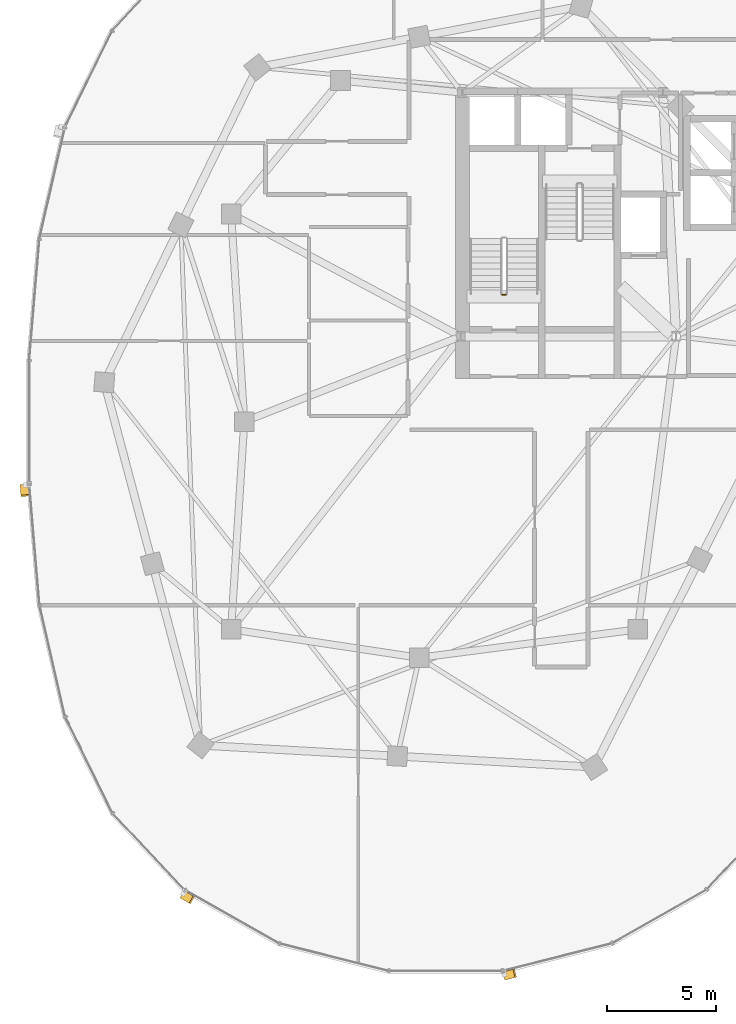
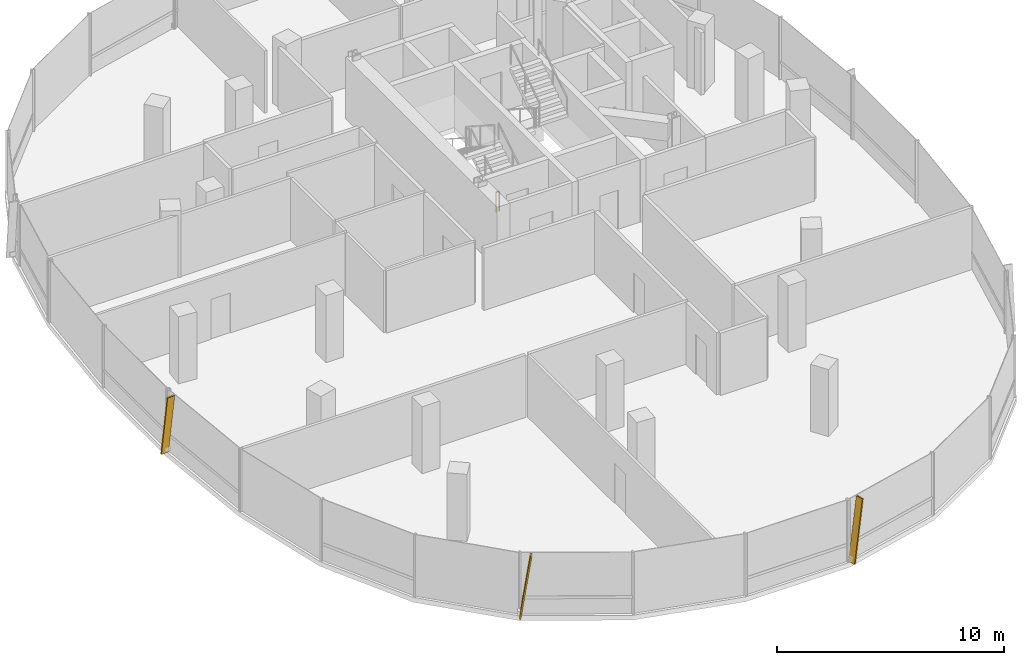
# One storey, part 21 of 25: 3 shading devices, 1 railing.
"""IFC4 building model written with IfcOpenShell, lengths in metres."""

from ifc_helpers import new_model, si_unit, direction, frame, origin, origin_2d, place, context, subcontext, project, spatial, rectangle, extrude, material, material_profile, profile_set, type_object, element, save


model = new_model("IFC4")

# Units and contexts
model_context = context("Model", 3, precision=1e-05, world=origin(), true_north=direction((0.0, 1.0)))
body_context = subcontext(model_context, "Body", "Model", "MODEL_VIEW")
ifc_project = project(units=[si_unit("LENGTHUNIT", "METRE"), si_unit("AREAUNIT", "SQUARE_METRE"), si_unit("VOLUMEUNIT", "CUBIC_METRE"), si_unit("PLANEANGLEUNIT", "RADIAN"), si_unit("MASSUNIT", "GRAM", prefix="KILO"), si_unit("THERMODYNAMICTEMPERATUREUNIT", "KELVIN"), si_unit("POWERUNIT", "WATT")], contexts=[model_context])

# Site, building, storey
site_placement = place(None, origin())
site = spatial("IfcSite", under=ifc_project, at=site_placement, CompositionType="ELEMENT")
building_placement = place(site_placement, origin())
building = spatial("IfcBuilding", under=site, at=building_placement, Name="Cundina Bronze Exchange", CompositionType="ELEMENT")
storey_placement = place(building_placement, frame((0.0, 0.0, 206.199951171875)))
storey = spatial("IfcBuildingStorey", under=building, at=storey_placement, Name="L54", CompositionType="ELEMENT", Elevation=206.199951171875)

# Railing
ifc_material_1 = material(Name="Steel ASTM A36 Painted", Category="steel")
railing_type = type_object("IfcRailingType", Name="RLG-STG-1100", PredefinedType="GUARDRAIL", material=ifc_material_1)
railing_placement = place(storey_placement, frame((-29.239990234375, 5.800048828125, 0.0)))
element("IfcRailing", 1, at=railing_placement, inside=storey, type_object=railing_type, Name="L54 ST-W1 stair guard 4", PredefinedType="GUARDRAIL", context=body_context, shape_type="SweptSolid", body=[
    extrude(rectangle(XDim=0.048095703125, YDim=0.048095703125, at=origin_2d()), frame((0.0, 0.0, 1.076171875), z_axis=(-1.0, 0.0, 0.0), x_axis=(0.0, -1.0, 0.0)), (0.0, 0.0, 1.0), 0.159912109375),
    extrude(rectangle(XDim=0.0419921875, YDim=0.0419921875, at=origin_2d()), origin(), (0.0, 0.0, 1.0), 1.052001953125),
    extrude(rectangle(XDim=0.0419921875, YDim=0.0419921875, at=origin_2d()), frame((-0.159912109375, 0.0, 0.0)), (0.0, 0.0, 1.0), 1.052001953125),
])

# Shading devices
ifc_material_2 = material(Name="Anodised Bronze Aluminium 6063-T6", Category="aluminium")
ifc_material_profile = material_profile(ifc_material_2, rectangle(XDim=0.070068359375, YDim=0.3798828125, at=origin_2d()), Name="FIN70X380", Category="aluminium")
ifc_profile_set = profile_set([ifc_material_profile], Name="Anodised Bronze Aluminium 6063-T6")
shading_device_type = type_object("IfcShadingDeviceType", Name="SHD-FIN-BRZ380", PredefinedType="USERDEFINED", material=ifc_profile_set)
for number, where, z_axis, x_axis, name in (
    (2, (-51.264404296875, -2.90283203125, 0.02001953125), (0.012006555776, -0.143419772964, 0.98958911238), (-0.082555834947, 0.986139516224, 0.143921466983), "L54 Diagonal Bronze Solar Fin 1"),
    (3, (-44.015625, -21.635498046875, 0.02001953125), (0.125189514072, -0.071087145125, 0.989582843103), (-0.860526986551, 0.488638423358, 0.143964567292), "L54 Diagonal Bronze Solar Fin 5"),
    (4, (-29.294189453125, -25.344482421875, 0.02001953125), (0.139611891367, 0.03514090606, 0.989582556693), (-0.959650042543, -0.24154799183, 0.143966536007), "L54 Diagonal Bronze Solar Fin 1"),
):
    element("IfcShadingDevice", number, at=place(storey_placement, frame(where, z_axis=z_axis, x_axis=x_axis)), inside=storey, type_object=shading_device_type, Name=name, ObjectType="FIN", PredefinedType="USERDEFINED", context=body_context, shape_type="SweptSolid", body=[
        extrude(rectangle(XDim=0.070068359375, YDim=0.3798828125, at=origin_2d()), origin(), (0.0, 0.0, 1.0), 3.334716796875),
    ])

save(model, "model.ifc")
